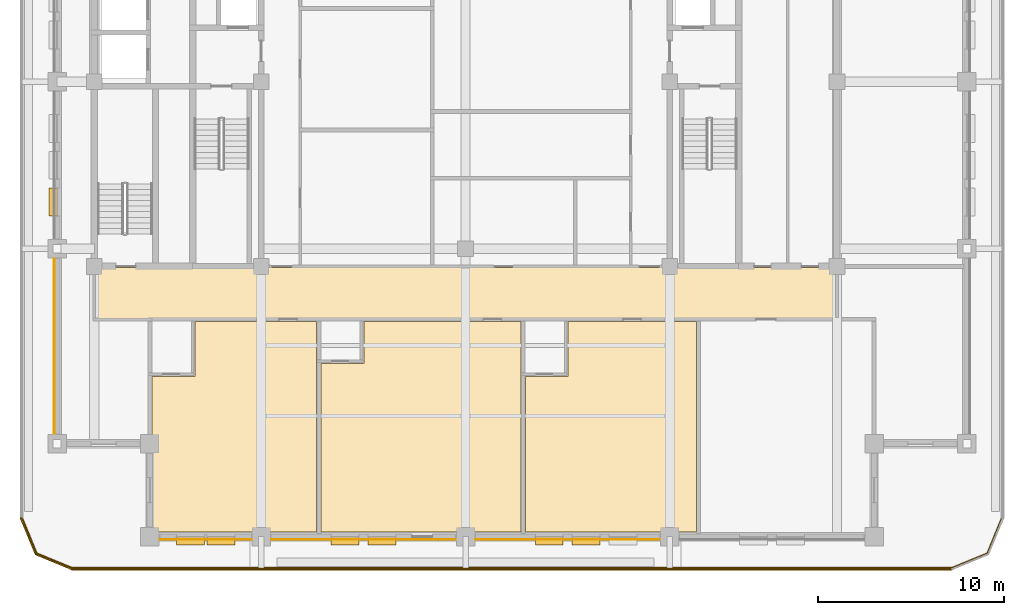
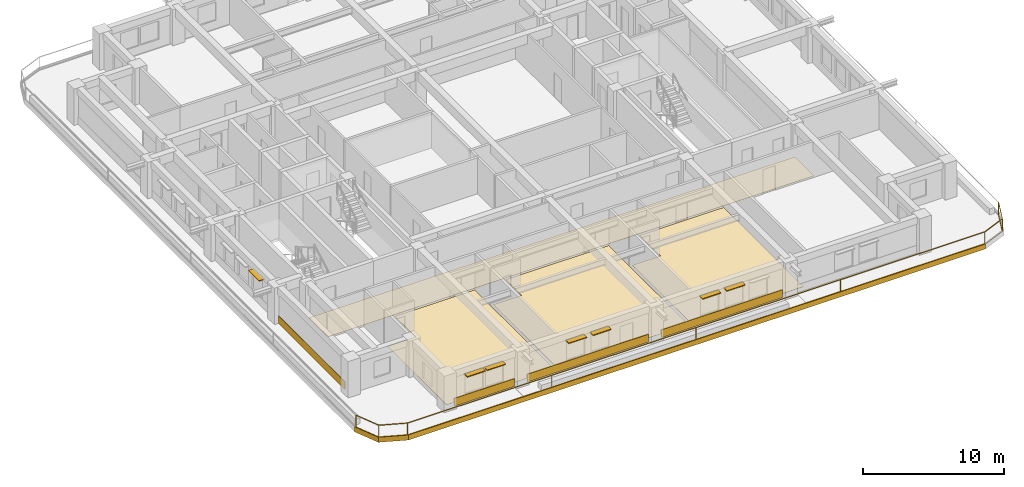
# One storey, part 8 of 13: 11 coverings, 7 shading devices, 1 railing.
"""IFC4 building model written with IfcOpenShell, lengths in metres."""

import ifcopenshell
import ifcopenshell.guid

model = None  # the IFC model being written
_history = None  # IfcOwnerHistory: only IFC2X3 demands one
_inside = {}  # id of a spatial element -> (the spatial element, [elements in it])
_under = {}  # id of a project, library or spatial element -> (it, [spatial elements below it])
_declared = {}  # id of a project -> (the project, [libraries it declares])
_typed = {}  # id of a type object -> (the type object, [elements of that type])
_made_of = {}  # id of a material, layer set ... -> (it, [elements and type objects made of it])


def new_model(schema):
    """Start an empty IFC model of exactly this schema.

    Asked for "IFC4X3", IfcOpenShell would pick the latest addendum, in which some entities
    have other attributes; the version numbers below select the first issue.
    IFC2X3 requires an IfcOwnerHistory on every rooted entity: one is made here for all.
    """
    global model, _history
    if schema == "IFC4X3":
        model = ifcopenshell.file(schema_version=(4, 3, 0, 0))
    else:
        model = ifcopenshell.file(schema=schema)
    _inside.clear()
    _under.clear()
    _declared.clear()
    _typed.clear()
    _made_of.clear()
    _history = None
    if model.schema == "IFC2X3":
        org = make("IfcOrganization", Name="unknown")
        user = make(
            "IfcPersonAndOrganization",
            ThePerson=make("IfcPerson", FamilyName="unknown"),
            TheOrganization=org,
        )
        app = make(
            "IfcApplication",
            ApplicationDeveloper=org,
            Version="unknown",
            ApplicationFullName="unknown",
            ApplicationIdentifier="unknown",
        )
        _history = make(
            "IfcOwnerHistory",
            OwningUser=user,
            OwningApplication=app,
            ChangeAction="ADDED",
            CreationDate=0,
        )
    return model


def make(cls, **values):
    """One entity of the class cls with the attributes given. An attribute that is None is left unset."""
    return model.create_entity(
        cls, **{name: value for name, value in values.items() if value is not None}
    )


def rooted(cls, **values):
    """An entity with a GlobalId (a new one), such as an element, a storey or a relation."""
    return make(cls, GlobalId=ifcopenshell.guid.new(), OwnerHistory=_history, **values)


def si_unit(unit_type, name, prefix=None):
    """IfcSIUnit, for example si_unit("LENGTHUNIT", "METRE", prefix="MILLI")."""
    return make("IfcSIUnit", UnitType=unit_type, Prefix=prefix, Name=name)


def assignment(units):
    """IfcUnitAssignment: the units of a project."""
    return None if units is None else make("IfcUnitAssignment", Units=units)


def point(xyz):
    """IfcCartesianPoint."""
    return None if xyz is None else make("IfcCartesianPoint", Coordinates=xyz)


def direction(xyz):
    """IfcDirection."""
    return None if xyz is None else make("IfcDirection", DirectionRatios=xyz)


def frame(location, z_axis=None, x_axis=None):
    """IfcAxis2Placement3D, a coordinate frame: its origin and axes. An axis left out is left unset."""
    return make(
        "IfcAxis2Placement3D",
        Location=point(location),
        Axis=direction(z_axis),
        RefDirection=direction(x_axis),
    )


def frame_2d(location, x_axis=None):
    """IfcAxis2Placement2D, a coordinate frame in the plane: its origin and x axis."""
    return make(
        "IfcAxis2Placement2D", Location=point(location), RefDirection=direction(x_axis)
    )


def origin():
    """The frame at (0, 0, 0) with its axes left unset."""
    return frame((0.0, 0.0, 0.0))


def origin_2d():
    """The frame at (0, 0) in the plane with its x axis left unset."""
    return frame_2d((0.0, 0.0))


def place(relative_to, where):
    """IfcLocalPlacement: puts the frame where relative to a parent placement (None: the world)."""
    return make(
        "IfcLocalPlacement", PlacementRelTo=relative_to, RelativePlacement=where
    )


def context(
    kind, dimensions, precision=None, world=None, true_north=None, identifier=None
):
    """IfcGeometricRepresentationContext, for example the 3D "Model" context."""
    return make(
        "IfcGeometricRepresentationContext",
        ContextIdentifier=identifier,
        ContextType=kind,
        CoordinateSpaceDimension=dimensions,
        Precision=precision,
        WorldCoordinateSystem=world,
        TrueNorth=true_north,
    )


def subcontext(parent, identifier, kind, view, scale=None):
    """IfcGeometricRepresentationSubContext, for example "Body" below "Model"."""
    return make(
        "IfcGeometricRepresentationSubContext",
        ContextIdentifier=identifier,
        ContextType=kind,
        ParentContext=parent,
        TargetScale=scale,
        TargetView=view,
    )


def project(units=None, contexts=None):
    """IfcProject with its units and contexts."""
    return rooted(
        "IfcProject",
        Name="project",
        RepresentationContexts=contexts,
        UnitsInContext=assignment(units),
    )


def spatial(cls, under=None, at=None, **own):
    """A site, building, storey or space (cls), placed at a placement, below another one or the project."""
    s = rooted(cls, ObjectPlacement=at, **own)
    if under is not None:
        _under.setdefault(under.id(), (under, []))[1].append(s)
    return s


def polyline(points):
    """IfcPolyline through the points."""
    return make("IfcPolyline", Points=[point(p) for p in points])


def profile(cls, at=None, kind="AREA", **sizes):
    """A parametric profile (cls). Its sizes go by their IFC names, for example OverallWidth=200.0."""
    return make(cls, ProfileType=kind, Position=at, **sizes)


def rectangle(**sizes):
    """IfcRectangleProfileDef."""
    return profile("IfcRectangleProfileDef", **sizes)


def outline(outer, holes=None, kind="AREA"):
    """IfcArbitraryClosedProfileDef: a profile drawn as a closed curve; with holes, ...WithVoids."""
    if holes is None:
        return make("IfcArbitraryClosedProfileDef", ProfileType=kind, OuterCurve=outer)
    return make(
        "IfcArbitraryProfileDefWithVoids",
        ProfileType=kind,
        OuterCurve=outer,
        InnerCurves=holes,
    )


def extrude(swept, where, along, depth):
    """IfcExtrudedAreaSolid: the profile swept, set in the frame where, extruded along a direction by depth."""
    return make(
        "IfcExtrudedAreaSolid",
        SweptArea=swept,
        Position=where,
        ExtrudedDirection=direction(along),
        Depth=depth,
    )


def shape(context_of_items, identifier, shape_type, items):
    """IfcShapeRepresentation: the items that make up one representation, for example the "Body"."""
    return make(
        "IfcShapeRepresentation",
        ContextOfItems=context_of_items,
        RepresentationIdentifier=identifier,
        RepresentationType=shape_type,
        Items=items,
    )


def material(Name=None, Category=None):
    """IfcMaterial."""
    return make("IfcMaterial", Name=Name, Category=Category)


def layer(
    of_material, thickness, ventilated=None, Name=None, Category=None, Priority=None
):
    """IfcMaterialLayer: one layer of a wall or slab, of a material (None: an air gap)."""
    return make(
        "IfcMaterialLayer",
        Material=of_material,
        LayerThickness=thickness,
        IsVentilated=ventilated,
        Name=Name,
        Category=Category,
        Priority=Priority,
    )


def layer_set(layers, Name=None):
    """IfcMaterialLayerSet."""
    return make("IfcMaterialLayerSet", MaterialLayers=layers, LayerSetName=Name)


def made_of(thing, what):
    """Note that an element or type object is made of a material, layer set ...; save() writes the relation."""
    if what is not None:
        _made_of.setdefault(what.id(), (what, []))[1].append(thing)
    return thing


def type_object(cls, material=None, **own):
    """A type object (cls), such as IfcWallType, which elements share."""
    return made_of(rooted(cls, **own), material)


def element(
    cls,
    number,
    at=None,
    inside=None,
    cuts=None,
    type_object=None,
    material=None,
    context=None,
    identifier="Body",
    shape_type=None,
    held_by="IfcProductDefinitionShape",
    body=None,
    shapes=None,
    **own,
):
    """One element of the class cls, such as IfcWall. Its Tag is "e" and its number.

    at: its placement. inside: the storey or other place that contains it. cuts: it is an
    opening in that element (IfcRelVoidsElement). A single representation is given by context,
    identifier, shape_type and body (its items); several are given by shapes. held_by: the class
    of the entity that holds the representations. save() writes the other relations.
    """
    e = rooted(cls, Tag="e%d" % number, ObjectPlacement=at, **own)
    if body is not None:
        shapes = [shape(context, identifier, shape_type, body)]
    if shapes is not None:
        e.Representation = make(held_by, Representations=shapes)
    if inside is not None:
        _inside.setdefault(inside.id(), (inside, []))[1].append(e)
    if cuts is not None:
        rooted(
            "IfcRelVoidsElement", RelatingBuildingElement=cuts, RelatedOpeningElement=e
        )
    if type_object is not None:
        _typed.setdefault(type_object.id(), (type_object, []))[1].append(e)
    return made_of(e, material)


def aggregate(whole, parts):
    """IfcRelAggregates: a whole, such as a stair, and the parts it consists of."""
    return rooted("IfcRelAggregates", RelatingObject=whole, RelatedObjects=parts)


def save(model, path):
    """Write the relations noted so far, then the file.

    IfcRelAggregates (storeys below a building ...), IfcRelContainedInSpatialStructure (elements
    in a storey), IfcRelDefinesByType, IfcRelAssociatesMaterial and IfcRelDeclares: one each for
    every whole, place, type object, material and project.
    """
    for whole, parts in _under.values():
        aggregate(whole, parts)
    for where, things in _inside.values():
        rooted(
            "IfcRelContainedInSpatialStructure",
            RelatedElements=things,
            RelatingStructure=where,
        )
    for kind, things in _typed.values():
        rooted("IfcRelDefinesByType", RelatedObjects=things, RelatingType=kind)
    for what, things in _made_of.values():
        rooted("IfcRelAssociatesMaterial", RelatedObjects=things, RelatingMaterial=what)
    for by, libraries in _declared.values():
        rooted("IfcRelDeclares", RelatingContext=by, RelatedDefinitions=libraries)
    model.write(path)


model = new_model("IFC4")

# Units and contexts
model_context = context("Model", 3, precision=1e-05, world=origin(), true_north=direction((0.0, 1.0)))
body_context = subcontext(model_context, "Body", "Model", "MODEL_VIEW")
ifc_project = project(units=[si_unit("LENGTHUNIT", "METRE"), si_unit("AREAUNIT", "SQUARE_METRE"), si_unit("VOLUMEUNIT", "CUBIC_METRE"), si_unit("PLANEANGLEUNIT", "RADIAN"), si_unit("MASSUNIT", "GRAM", prefix="KILO")], contexts=[model_context])

# Site, building, storey
site_placement = place(None, origin())
site = spatial("IfcSite", under=ifc_project, at=site_placement, CompositionType="ELEMENT")
building_placement = place(site_placement, origin())
building = spatial("IfcBuilding", under=site, at=building_placement, Name="Zulmaris Gate Convention Tower", CompositionType="ELEMENT")
storey_placement = place(building_placement, frame((0.0, 0.0, 169.4599609375)))
storey = spatial("IfcBuildingStorey", under=building, at=storey_placement, Name="L43", CompositionType="ELEMENT", Elevation=169.4599609375)

# Coverings
ifc_material_1 = material(Name="Precast concrete C40/50", Category="concrete")
ifc_layer_1 = layer(ifc_material_1, 0.0400390625, Name="Precast concrete C40/50")
ifc_layer_set_1 = layer_set([ifc_layer_1], Name="Precast concrete C40/50")
covering_type_1 = type_object("IfcCoveringType", Name="CLAD-SPANDREL-PRECAST", PredefinedType="CLADDING", material=ifc_layer_set_1)
covering_1_placement = place(storey_placement, frame((-16.469970703125, -24.64990234375, 0.0), z_axis=(0.0, 0.0, 1.0), x_axis=(1.0, 0.0, 0.0)))
element("IfcCovering", 1, at=covering_1_placement, inside=storey, type_object=covering_type_1, Name="CLD-L43-S-0_0", PredefinedType="CLADDING", context=body_context, shape_type="SweptSolid", body=[
    extrude(rectangle(XDim=4.93994140625, YDim=0.0400390625, at=frame_2d((2.469970703125, 0.0))), origin(), (0.0, 0.0, 1.0), 0.679931640625),
])
for number, where, z_axis, x_axis, name in (
    (2, (-10.469970703125, -24.64990234375, 0.0), (0.0, 0.0, 1.0), (1.0, 0.0, 0.0), "CLD-L43-S-1_0"),
    (3, (0.530029296875, -24.64990234375, 0.0), (0.0, 0.0, 1.0), (1.0, 0.0, 0.0), "CLD-L43-S-2_0"),
):
    element("IfcCovering", number, at=place(storey_placement, frame(where, z_axis=z_axis, x_axis=x_axis)), inside=storey, type_object=covering_type_1, Name=name, PredefinedType="CLADDING", context=body_context, shape_type="SweptSolid", body=[
        extrude(rectangle(XDim=9.93994140625, YDim=0.0400390625, at=frame_2d((4.969970703125, 0.0))), origin(), (0.0, 0.0, 1.0), 0.679931640625),
    ])
covering_2_placement = place(storey_placement, frame((-22.14990234375, -9.530029296875, 0.0), z_axis=(0.0, 0.0, 1.0), x_axis=(0.0, -1.0, 0.0)))
element("IfcCovering", 4, at=covering_2_placement, inside=storey, type_object=covering_type_1, Name="CLD-L43-W-0_0", PredefinedType="CLADDING", context=body_context, shape_type="SweptSolid", body=[
    extrude(rectangle(XDim=9.43994140625, YDim=0.0400390625, at=frame_2d((4.719970703125, 0.0))), origin(), (0.0, 0.0, 1.0), 0.679931640625),
])
ifc_material_2 = material(Name="White Glazed Architectural Precast Concrete C40/50", Category="concrete")
ifc_layer_2 = layer(ifc_material_2, 0.080078125, Name="White Glazed Architectural Precast Concrete C40/50")
ifc_layer_set_2 = layer_set([ifc_layer_2], Name="White Glazed Architectural Precast Concrete C40/50")
covering_type_2 = type_object("IfcCoveringType", Name="CLAD-TRAY-FASCIA", PredefinedType="CLADDING", material=ifc_layer_set_2)
covering_3_placement = place(storey_placement, frame((-23.962890625, -23.484619140625, -0.2900390625), z_axis=(0.0, 0.0, 1.0), x_axis=(0.382656984709, -0.923890487046, 0.0)))
element("IfcCovering", 5, at=covering_3_placement, inside=storey, type_object=covering_type_2, Name="FSC-L43-TR-00", PredefinedType="CLADDING", context=body_context, shape_type="SweptSolid", body=[
    extrude(rectangle(XDim=2.14306640625, YDim=0.080078125, at=frame_2d((1.071533203125, 0.0))), origin(), (0.0, 0.0, 1.0), 0.440185546875),
])
covering_4_placement = place(storey_placement, frame((-23.16455078125, -25.44287109375, -0.2900390625), z_axis=(0.0, 0.0, 1.0), x_axis=(0.923873803533, -0.382697263049, 0.0)))
element("IfcCovering", 6, at=covering_4_placement, inside=storey, type_object=covering_type_2, Name="FSC-L43-TR-01", PredefinedType="CLADDING", context=body_context, shape_type="SweptSolid", body=[
    extrude(rectangle(XDim=2.142822265625, YDim=0.080078125, at=frame_2d((1.0712890625, 0.0))), origin(), (0.0, 0.0, 1.0), 0.440185546875),
])
covering_5_placement = place(storey_placement, frame((-21.199951171875, -26.260009765625, -0.2900390625), z_axis=(0.0, 0.0, 1.0), x_axis=(1.0, 0.0, 0.0)))
element("IfcCovering", 7, at=covering_5_placement, inside=storey, type_object=covering_type_2, Name="FSC-L43-TR-02", PredefinedType="CLADDING", context=body_context, shape_type="SweptSolid", body=[
    extrude(rectangle(XDim=47.39990234375, YDim=0.080078125, at=frame_2d((23.699951171875, 0.0))), origin(), (0.0, 0.0, 1.0), 0.440185546875),
])
ifc_material_3 = material(Name="Woven Acoustic Wool Carpet Tile")
ifc_layer_3 = layer(ifc_material_3, 0.02001953125, Name="Woven Acoustic Wool Carpet Tile")
ifc_layer_set_3 = layer_set([ifc_layer_3], Name="Woven Acoustic Wool Carpet Tile")
covering_type_3 = type_object("IfcCoveringType", Name="FLR-CARPET-12", PredefinedType="FLOORING", material=ifc_layer_set_3)
covering_6_placement = place(storey_placement, origin())
element("IfcCovering", 8, at=covering_6_placement, inside=storey, type_object=covering_type_3, Name="FLR-L43-R29", PredefinedType="FLOORING", context=body_context, shape_type="SweptSolid", body=[
    extrude(outline(polyline([(-19.93994140625, -12.739990234375), (19.93994140625, -12.739990234375), (19.93994140625, -10.010009765625), (-19.93994140625, -10.010009765625), (-19.93994140625, -12.739990234375)])), origin(), (0.0, 0.0, 1.0), 0.02001953125),
])
ifc_material_4 = material(Name="Engineered Teak Parquet Flooring")
ifc_layer_4 = layer(ifc_material_4, 0.02001953125, Name="Engineered Teak Parquet Flooring")
ifc_layer_set_4 = layer_set([ifc_layer_4], Name="Engineered Teak Parquet Flooring")
covering_type_4 = type_object("IfcCoveringType", Name="FLR-TIMBER-18", PredefinedType="FLOORING", material=ifc_layer_set_4)
covering_7_placement = place(storey_placement, origin())
element("IfcCovering", 9, at=covering_7_placement, inside=storey, type_object=covering_type_4, Name="FLR-L43-R39", PredefinedType="FLOORING", context=body_context, shape_type="SweptSolid", body=[
    extrude(outline(polyline([(-16.8798828125, -24.260009765625), (-8.02001953125, -24.260009765625), (-8.02001953125, -12.919921875), (-14.580078125, -12.919921875), (-14.580078125, -15.8701171875), (-16.8798828125, -15.8701171875), (-16.8798828125, -24.260009765625)])), origin(), (0.0, 0.0, 1.0), 0.02001953125),
])
covering_8_placement = place(storey_placement, origin())
element("IfcCovering", 10, at=covering_8_placement, inside=storey, type_object=covering_type_4, Name="FLR-L43-R41", PredefinedType="FLOORING", context=body_context, shape_type="SweptSolid", body=[
    extrude(outline(polyline([(-7.780029296875, -24.260009765625), (2.97998046875, -24.260009765625), (2.97998046875, -12.919921875), (-5.47998046875, -12.919921875), (-5.47998046875, -15.169921875), (-7.780029296875, -15.169921875), (-7.780029296875, -24.260009765625)])), origin(), (0.0, 0.0, 1.0), 0.02001953125),
])
covering_9_placement = place(storey_placement, origin())
element("IfcCovering", 11, at=covering_9_placement, inside=storey, type_object=covering_type_4, Name="FLR-L43-R43", PredefinedType="FLOORING", context=body_context, shape_type="SweptSolid", body=[
    extrude(outline(polyline([(3.219970703125, -24.260009765625), (12.429931640625, -24.260009765625), (12.429931640625, -12.919921875), (5.52001953125, -12.919921875), (5.52001953125, -15.8701171875), (3.219970703125, -15.8701171875), (3.219970703125, -24.260009765625)])), origin(), (0.0, 0.0, 1.0), 0.02001953125),
])

# Railing
ifc_material_5 = material(Name="Laminated Glass and Stainless Steel", Category="steel")
railing_type = type_object("IfcRailingType", Name="RL-BALC-1150", PredefinedType="BALUSTRADE", material=ifc_material_5)
railing_placement = place(storey_placement, frame((-23.8798828125, -23.5, -0.010009765625)))
element("IfcRailing", 12, at=railing_placement, inside=storey, type_object=railing_type, Name="RL-L43-BALC-S", PredefinedType="BALUSTRADE", context=body_context, shape_type="SweptSolid", body=[
    extrude(rectangle(XDim=0.048095703125, YDim=0.048095703125, at=origin_2d()), frame((0.0, 0.0, 1.1259765625), z_axis=(0.382670664694, -0.92388482095, 0.0), x_axis=(0.92388482095, 0.382670664694, 0.0)), (0.0, 0.0, 1.0), 2.051025390625),
    extrude(rectangle(XDim=0.048095703125, YDim=0.048095703125, at=origin_2d()), frame((0.0, 0.0, 0.02392578125), z_axis=(0.382670664694, -0.92388482095, 0.0), x_axis=(0.92388482095, 0.382670664694, 0.0)), (0.0, 0.0, 1.0), 2.051025390625),
    extrude(rectangle(XDim=0.048095703125, YDim=0.048095703125, at=origin_2d()), frame((0.784912109375, -1.89501953125, 1.1259765625), z_axis=(0.92388482095, -0.382670664694, 0.0), x_axis=(0.382670664694, 0.92388482095, 0.0)), (0.0, 0.0, 1.0), 2.051025390625),
    extrude(rectangle(XDim=0.048095703125, YDim=0.048095703125, at=origin_2d()), frame((0.784912109375, -1.89501953125, 0.02392578125), z_axis=(0.92388482095, -0.382670664694, 0.0), x_axis=(0.382670664694, 0.92388482095, 0.0)), (0.0, 0.0, 1.0), 2.051025390625),
    extrude(rectangle(XDim=0.048095703125, YDim=0.048095703125, at=origin_2d()), frame((2.679931640625, -2.679931640625, 1.1259765625), z_axis=(1.0, 0.0, 0.0), x_axis=(0.0, 1.0, 0.0)), (0.0, 0.0, 1.0), 47.39990234375),
    extrude(rectangle(XDim=0.048095703125, YDim=0.048095703125, at=origin_2d()), frame((2.679931640625, -2.679931640625, 0.02392578125), z_axis=(1.0, 0.0, 0.0), x_axis=(0.0, 1.0, 0.0)), (0.0, 0.0, 1.0), 47.39990234375),
    extrude(rectangle(XDim=0.048095703125, YDim=0.048095703125, at=origin_2d()), frame((50.079833984375, -2.679931640625, 1.1259765625), z_axis=(0.92388482095, 0.382670664694, 0.0), x_axis=(-0.382670664694, 0.92388482095, 0.0)), (0.0, 0.0, 1.0), 2.051025390625),
    extrude(rectangle(XDim=0.048095703125, YDim=0.048095703125, at=origin_2d()), frame((50.079833984375, -2.679931640625, 0.02392578125), z_axis=(0.92388482095, 0.382670664694, 0.0), x_axis=(-0.382670664694, 0.92388482095, 0.0)), (0.0, 0.0, 1.0), 2.051025390625),
    extrude(rectangle(XDim=0.048095703125, YDim=0.048095703125, at=origin_2d()), frame((51.974853515625, -1.89501953125, 1.1259765625), z_axis=(0.382670664694, 0.92388482095, 0.0), x_axis=(-0.92388482095, 0.382670664694, 0.0)), (0.0, 0.0, 1.0), 2.051025390625),
    extrude(rectangle(XDim=0.048095703125, YDim=0.048095703125, at=origin_2d()), frame((51.974853515625, -1.89501953125, 0.02392578125), z_axis=(0.382670664694, 0.92388482095, 0.0), x_axis=(-0.92388482095, 0.382670664694, 0.0)), (0.0, 0.0, 1.0), 2.051025390625),
    extrude(rectangle(XDim=0.0419921875, YDim=0.0419921875, at=origin_2d()), origin(), (0.0, 0.0, 1.0), 1.101806640625),
    extrude(rectangle(XDim=0.0419921875, YDim=0.0419921875, at=origin_2d()), frame((0.784912109375, -1.89501953125, 0.0)), (0.0, 0.0, 1.0), 1.101806640625),
    extrude(rectangle(XDim=0.0419921875, YDim=0.0419921875, at=origin_2d()), frame((2.679931640625, -2.679931640625, 0.0)), (0.0, 0.0, 1.0), 1.101806640625),
    extrude(rectangle(XDim=0.0419921875, YDim=0.0419921875, at=origin_2d()), frame((14.52978515625, -2.679931640625, 0.0)), (0.0, 0.0, 1.0), 1.101806640625),
    extrude(rectangle(XDim=0.0419921875, YDim=0.0419921875, at=origin_2d()), frame((26.3798828125, -2.679931640625, 0.0)), (0.0, 0.0, 1.0), 1.101806640625),
    extrude(rectangle(XDim=0.0419921875, YDim=0.0419921875, at=origin_2d()), frame((38.22998046875, -2.679931640625, 0.0)), (0.0, 0.0, 1.0), 1.101806640625),
    extrude(rectangle(XDim=0.0419921875, YDim=0.0419921875, at=origin_2d()), frame((50.079833984375, -2.679931640625, 0.0)), (0.0, 0.0, 1.0), 1.101806640625),
    extrude(rectangle(XDim=0.0419921875, YDim=0.0419921875, at=origin_2d()), frame((51.974853515625, -1.89501953125, 0.0)), (0.0, 0.0, 1.0), 1.101806640625),
    extrude(rectangle(XDim=0.0419921875, YDim=0.0419921875, at=origin_2d()), frame((52.759765625, 0.0, 0.0)), (0.0, 0.0, 1.0), 1.101806640625),
])

# Shading devices
ifc_material_6 = material(Name="Glazed Ceramic Terracotta", Category="masonry")
ifc_layer_5 = layer(ifc_material_6, 0.070068359375, Name="Glazed Ceramic Terracotta")
ifc_layer_set_5 = layer_set([ifc_layer_5], Name="Glazed Ceramic Terracotta")
shading_device_type = type_object("IfcShadingDeviceType", Name="SHD-SUNSHADE-TC", PredefinedType="AWNING", material=ifc_layer_set_5)
for number, where, z_axis, x_axis, name in (
    (13, (-15.572998046875, -24.719970703125, 2.35009765625), (0.0, 0.0, 1.0), (1.0, 0.0, 0.0), "SHD-EW-L43-S-0_0-1"),
    (14, (-13.927001953125, -24.719970703125, 2.35009765625), (0.0, 0.0, 1.0), (1.0, 0.0, 0.0), "SHD-EW-L43-S-0_0-2"),
    (15, (-7.243896484375, -24.719970703125, 2.35009765625), (0.0, 0.0, 1.0), (1.0, 0.0, 0.0), "SHD-EW-L43-S-1_0-2"),
    (16, (-5.256103515625, -24.719970703125, 2.35009765625), (0.0, 0.0, 1.0), (1.0, 0.0, 0.0), "SHD-EW-L43-S-1_0-3"),
    (17, (3.756103515625, -24.719970703125, 2.35009765625), (0.0, 0.0, 1.0), (1.0, 0.0, 0.0), "SHD-EW-L43-S-2_0-2"),
    (18, (5.743896484375, -24.719970703125, 2.35009765625), (0.0, 0.0, 1.0), (1.0, 0.0, 0.0), "SHD-EW-L43-S-2_0-3"),
    (19, (-22.219970703125, -5.735107421875, 2.35009765625), (0.0, 0.0, 1.0), (0.0, -1.0, 0.0), "SHD-EW-L43-W-1_0-3"),
):
    element("IfcShadingDevice", number, at=place(storey_placement, frame(where, z_axis=z_axis, x_axis=x_axis)), inside=storey, type_object=shading_device_type, Name=name, PredefinedType="AWNING", context=body_context, shape_type="SweptSolid", body=[
        extrude(rectangle(XDim=1.5, YDim=0.43994140625, at=frame_2d((0.75, 0.0))), origin(), (0.0, 0.0, 1.0), 0.06982421875),
    ])

save(model, "model.ifc")
